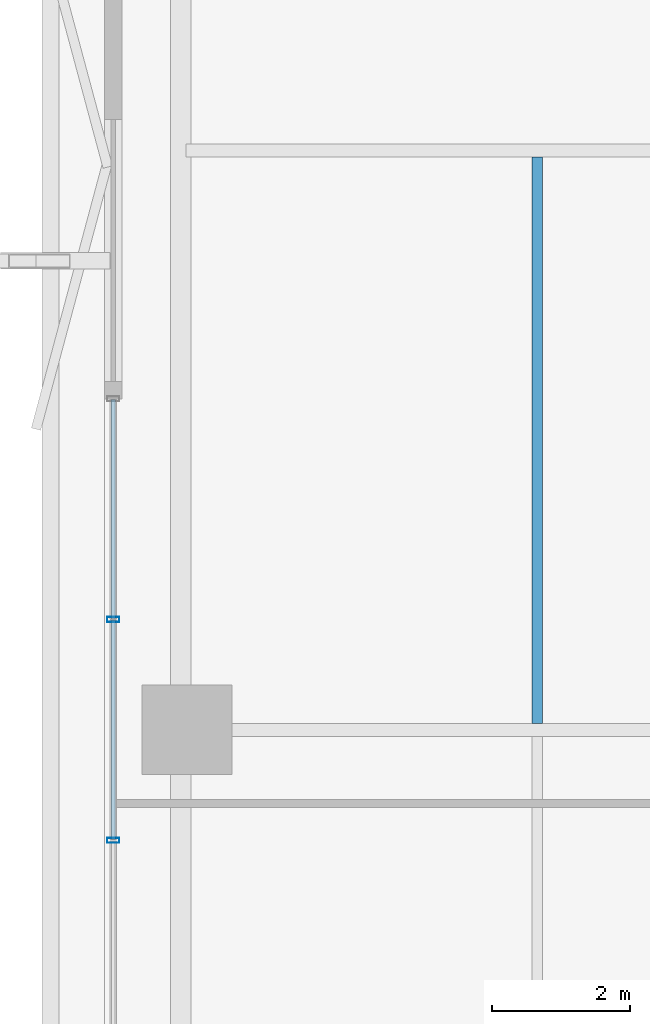
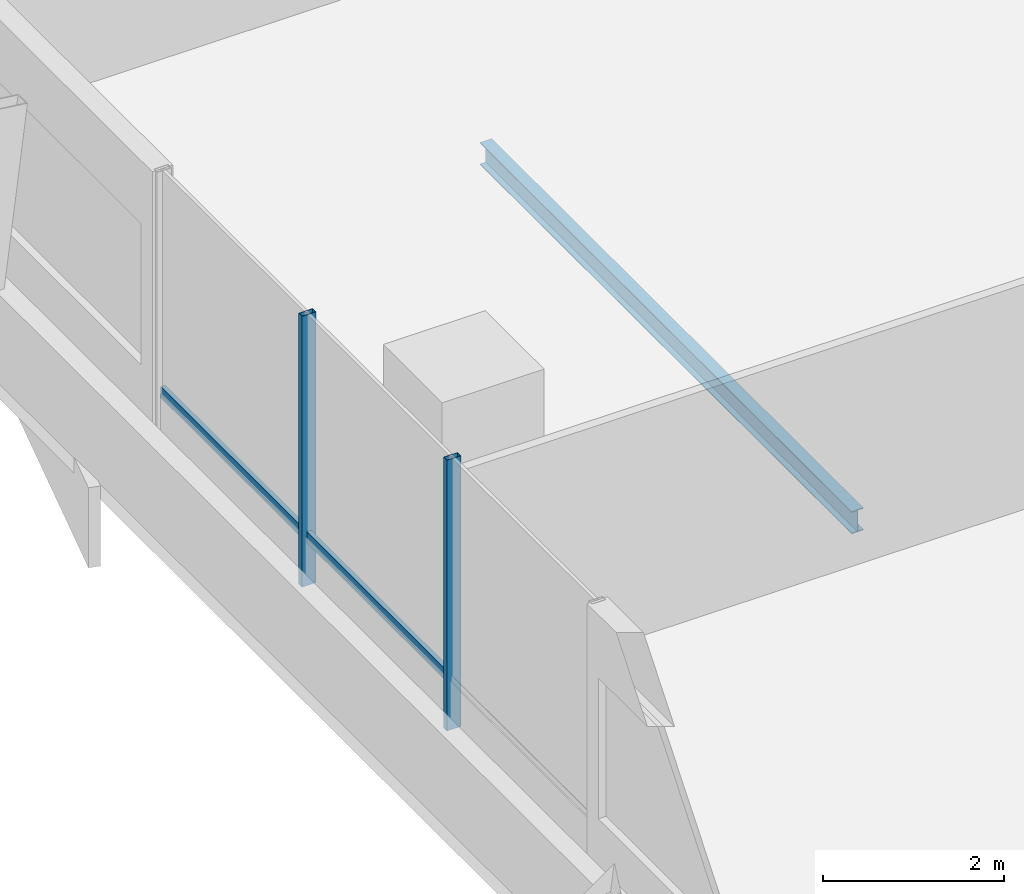
# One storey, part 9 of 34: 4 members, 1 beam, 1 element without a shape of its own.
"""IFC4 building model written with IfcOpenShell, lengths in metres."""

from ifc_helpers import new_model, si_unit, direction, frame, origin, origin_2d, place, context, subcontext, project, spatial, hollow_rectangle, i_section, extrude, material, layer, layer_set, material_profile, profile_set, type_object, element, aggregate, save


model = new_model("IFC4")

# Units and contexts
model_context = context("Model", 3, precision=1e-05, world=origin(), true_north=direction((0.0, 1.0)))
body_context = subcontext(model_context, "Body", "Model", "MODEL_VIEW")
ifc_project = project(units=[si_unit("LENGTHUNIT", "METRE"), si_unit("AREAUNIT", "SQUARE_METRE"), si_unit("VOLUMEUNIT", "CUBIC_METRE"), si_unit("PLANEANGLEUNIT", "RADIAN"), si_unit("MASSUNIT", "GRAM", prefix="KILO")], contexts=[model_context])

# Site, building, storey
site_placement = place(None, origin())
site = spatial("IfcSite", under=ifc_project, at=site_placement, CompositionType="ELEMENT")
building_placement = place(site_placement, origin())
building = spatial("IfcBuilding", under=site, at=building_placement, Name="Belovzor Exchange Tower", CompositionType="ELEMENT")
storey_placement = place(building_placement, frame((0.0, 0.0, 113.39990234375)))
storey = spatial("IfcBuildingStorey", under=building, at=storey_placement, Name="L27", CompositionType="ELEMENT", Elevation=113.39990234375)

# Beam
ifc_material_1 = material(Name="Steel S355", Category="steel")
ifc_material_profile_1 = material_profile(ifc_material_1, i_section(OverallWidth=0.14990234375, OverallDepth=0.300048828125, WebThickness=0.007080078125, FlangeThickness=0.0107421875, at=origin_2d()))
ifc_profile_set_1 = profile_set([ifc_material_profile_1], Name="Steel S355")
beam_type = type_object("IfcBeamType", Name="Secondary Trim Floor Joist IPE 300", PredefinedType="BEAM", material=ifc_profile_set_1)
beam_placement = place(storey_placement, frame((8.97607421875, 28.89501953125, -0.39990234375), z_axis=(0.0, 1.0, 0.0), x_axis=(-1.0, 0.0, 0.0)))
element("IfcBeam", 1, at=beam_placement, inside=storey, type_object=beam_type, Name="FJ-300 Secondary Trim Floor Joist IPE 300", PredefinedType="BEAM", context=body_context, shape_type="SweptSolid", body=[
    extrude(i_section(OverallWidth=0.14990234375, OverallDepth=0.300048828125, WebThickness=0.007080078125, FlangeThickness=0.0107421875, at=origin_2d()), origin(), (0.0, 0.0, 1.0), 8.2099609375),
])

# Curtain wall, members
ifc_material_2 = material(Name="Anodised Aluminium Framing", Category="aluminium")
ifc_layer = layer(ifc_material_2, 0.179931640625)
ifc_layer_set = layer_set([ifc_layer], Name="Anodised Aluminium Framing")
curtain_wall_type = type_object("IfcCurtainWallType", Name="Recessed Loggia Low-Iron Triple-Glazed Curtain Wall", PredefinedType="NOTDEFINED", material=ifc_layer_set)
curtain_wall_placement = place(storey_placement, origin())
curtain_wall = element("IfcCurtainWall", 2, at=curtain_wall_placement, inside=storey, type_object=curtain_wall_type, Name="CW3 Recessed Loggia Low-Iron Triple-Glazed Curtain Wall L27", PredefinedType="NOTDEFINED")
ifc_material_3 = material(Name="Steel S355", Category="steel")
ifc_material_profile_2 = material_profile(ifc_material_3, hollow_rectangle(XDim=0.074951171875, YDim=0.179931640625, WallThickness=0.0048828125, at=origin_2d()))
ifc_profile_set_2 = profile_set([ifc_material_profile_2], Name="Steel S355")
member_type_1 = type_object("IfcMemberType", Name="Thermally Broken Curtain Wall Mullion 180x75", PredefinedType="MULLION", material=ifc_profile_set_2)
member_1_placement = place(storey_placement, frame((2.830078125, 27.199951171875, 0.0), z_axis=(0.0, 0.0, 1.0), x_axis=(0.0, 1.0, 0.0)))
member_1 = element("IfcMember", 3, at=member_1_placement, type_object=member_type_1, Name="CW-M180 Curtain Wall Mullion 2", PredefinedType="MULLION", context=body_context, shape_type="SweptSolid", body=[
    extrude(hollow_rectangle(XDim=0.074951171875, YDim=0.179931640625, WallThickness=0.0048828125, at=origin_2d()), origin(), (0.0, 0.0, 1.0), 3.650146484375),
])
member_2_placement = place(storey_placement, frame((2.830078125, 30.39990234375, 0.0), z_axis=(0.0, 0.0, 1.0), x_axis=(0.0, 1.0, 0.0)))
member_2 = element("IfcMember", 4, at=member_2_placement, type_object=member_type_1, Name="CW-M180 Curtain Wall Mullion 3", PredefinedType="MULLION", context=body_context, shape_type="SweptSolid", body=[
    extrude(hollow_rectangle(XDim=0.074951171875, YDim=0.179931640625, WallThickness=0.0048828125, at=origin_2d()), origin(), (0.0, 0.0, 1.0), 3.650146484375),
])
ifc_material_4 = material(Name="Steel S355", Category="steel")
ifc_material_profile_3 = material_profile(ifc_material_4, hollow_rectangle(XDim=0.06005859375, YDim=0.14990234375, WallThickness=0.00390625, at=origin_2d()))
ifc_profile_set_3 = profile_set([ifc_material_profile_3], Name="Steel S355")
member_type_2 = type_object("IfcMemberType", Name="Thermally Broken Curtain Wall Transom 150x60", PredefinedType="USERDEFINED", material=ifc_profile_set_3)
member_3_placement = place(storey_placement, frame((2.830078125, 27.2080078125, 0.650146484375), z_axis=(0.0, 1.0, 0.0), x_axis=(-1.0, 0.0, 0.0)))
member_3 = element("IfcMember", 5, at=member_3_placement, type_object=member_type_2, Name="CW-T150 Curtain Wall Transom 2", ObjectType="TRANSOM", PredefinedType="USERDEFINED", context=body_context, shape_type="SweptSolid", body=[
    extrude(hollow_rectangle(XDim=0.06005859375, YDim=0.14990234375, WallThickness=0.00390625, at=origin_2d()), origin(), (0.0, 0.0, 1.0), 3.18408203125),
])
member_4_placement = place(storey_placement, frame((2.830078125, 30.407958984375, 0.650146484375), z_axis=(0.0, 1.0, 0.0), x_axis=(-1.0, 0.0, 0.0)))
member_4 = element("IfcMember", 6, at=member_4_placement, type_object=member_type_2, Name="CW-T150 Curtain Wall Transom 3", ObjectType="TRANSOM", PredefinedType="USERDEFINED", context=body_context, shape_type="SweptSolid", body=[
    extrude(hollow_rectangle(XDim=0.06005859375, YDim=0.14990234375, WallThickness=0.00390625, at=origin_2d()), origin(), (0.0, 0.0, 1.0), 3.18408203125),
])
aggregate(curtain_wall, [member_1, member_2, member_3, member_4])

save(model, "model.ifc")
